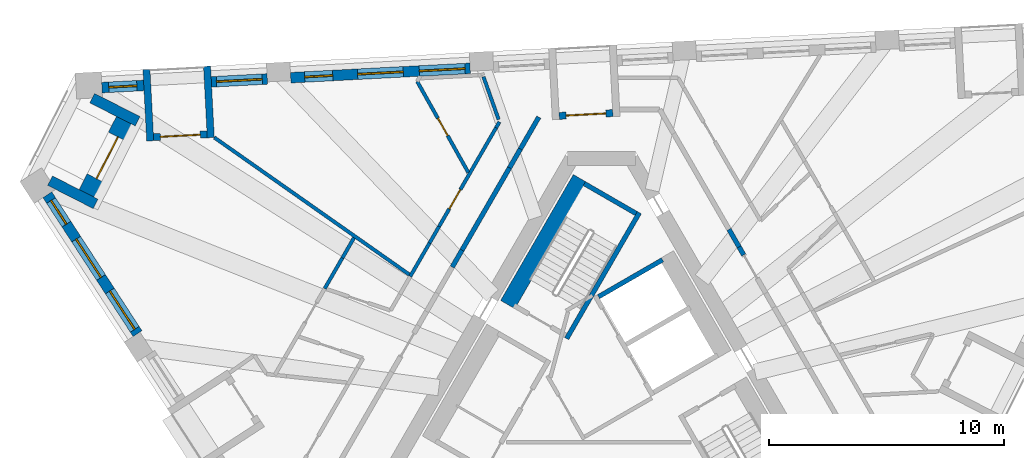
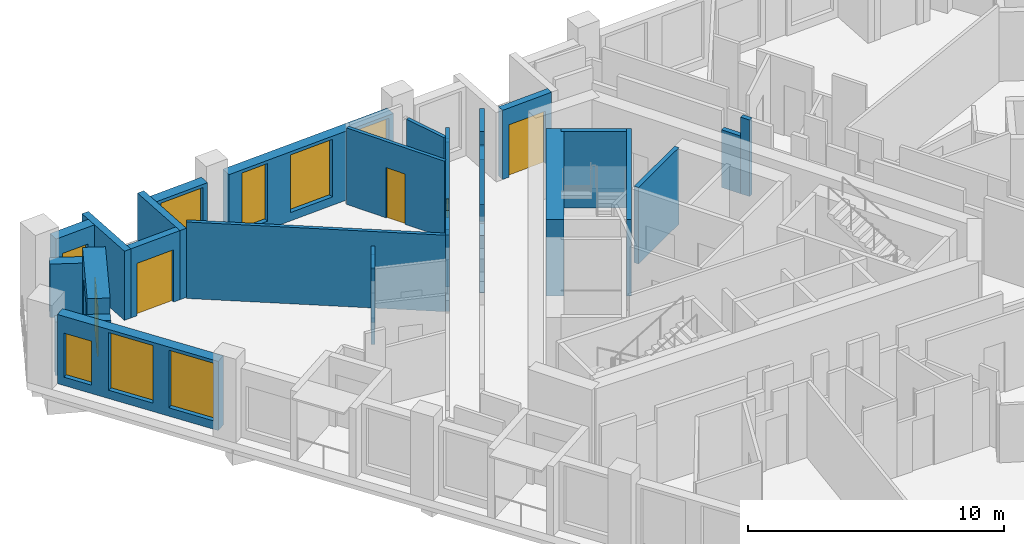
# One storey, part 7 of 13: 30 walls, 8 windows, 5 doors, 13 openings.
"""IFC4 building model written with IfcOpenShell, lengths in metres."""

from ifc_helpers import new_model, si_unit, direction, frame, frame_2d, origin, place, context, subcontext, project, spatial, rectangle, extrude, material, layer, layer_set, type_object, element, fill, save


model = new_model("IFC4")

# Units and contexts
model_context = context("Model", 3, precision=1e-05, world=origin(), true_north=direction((0.0, 1.0)))
body_context = subcontext(model_context, "Body", "Model", "MODEL_VIEW")
ifc_project = project(units=[si_unit("LENGTHUNIT", "METRE"), si_unit("AREAUNIT", "SQUARE_METRE"), si_unit("VOLUMEUNIT", "CUBIC_METRE"), si_unit("PLANEANGLEUNIT", "RADIAN"), si_unit("MASSUNIT", "GRAM", prefix="KILO")], contexts=[model_context])

# Site, building, storey
site_placement = place(None, origin())
site = spatial("IfcSite", under=ifc_project, at=site_placement, CompositionType="ELEMENT")
building_placement = place(site_placement, origin())
building = spatial("IfcBuilding", under=site, at=building_placement, Name="Tramontana Tower", CompositionType="ELEMENT")
storey_placement = place(building_placement, frame((0.0, 0.0, 286.39990234375)))
storey = spatial("IfcBuildingStorey", under=building, at=storey_placement, Name="L67", CompositionType="ELEMENT", Elevation=286.39990234375)

# Walls
ifc_material_1 = material(Name="Blockwork", Category="masonry")
ifc_layer_1 = layer(ifc_material_1, 0.199951171875)
ifc_layer_set_1 = layer_set([ifc_layer_1], Name="ENTRY WALL 200")
wall_type_1 = type_object("IfcWallType", Name="ENTRY WALL 200", PredefinedType="SOLIDWALL", material=ifc_layer_set_1)
wall_1_placement = place(storey_placement, frame((-6.36328125, 6.07861328125, 0.0), z_axis=(0.0, 0.0, 1.0), x_axis=(0.499950631041, 0.86605390509, 0.0)))
element("IfcWall", 1, at=wall_1_placement, inside=storey, type_object=wall_type_1, Name="Wall v71-ew3-8", PredefinedType="SOLIDWALL", context=body_context, shape_type="SweptSolid", body=[
    extrude(rectangle(XDim=0.83349609375, YDim=0.199951171875, at=frame_2d((0.416748046875, 0.0))), origin(), (0.0, 0.0, 1.0), 2.75),
])
wall_2_placement = place(storey_placement, frame((-5.946533203125, 6.800537109375, 0.0), z_axis=(0.0, 0.0, 1.0), x_axis=(0.500007556608, 0.866021040931, 0.0)))
element("IfcWall", 2, at=wall_2_placement, inside=storey, type_object=wall_type_1, Name="Wall v71-ew3-9", PredefinedType="SOLIDWALL", context=body_context, shape_type="SweptSolid", body=[
    extrude(rectangle(XDim=4.05224609375, YDim=0.199951171875, at=frame_2d((2.026123046875, 0.0))), origin(), (0.0, 0.0, 1.0), 3.650146484375),
])
wall_3_placement = place(storey_placement, frame((-3.92041015625, 10.309814453125, 0.0), z_axis=(0.0, 0.0, 1.0), x_axis=(0.500102178127, 0.865966403178, 0.0)))
element("IfcWall", 3, at=wall_3_placement, inside=storey, type_object=wall_type_1, Name="Wall v71-ew3-10", PredefinedType="SOLIDWALL", context=body_context, shape_type="SweptSolid", body=[
    extrude(rectangle(XDim=0.927490234375, YDim=0.199951171875, at=frame_2d((0.4638671875, 0.0))), origin(), (0.0, 0.0, 1.0), 2.9501953125),
])
wall_4_placement = place(storey_placement, frame((-3.45654296875, 11.113037109375, 0.0), z_axis=(0.0, 0.0, 1.0), x_axis=(0.500036592568, 0.866004276025, 0.0)))
element("IfcWall", 4, at=wall_4_placement, inside=storey, type_object=wall_type_1, Name="Wall v71-ew3-11", PredefinedType="SOLIDWALL", context=body_context, shape_type="SweptSolid", body=[
    extrude(rectangle(XDim=1.56982421875, YDim=0.199951171875, at=frame_2d((0.784912109375, 0.0))), origin(), (0.0, 0.0, 1.0), 3.650146484375),
])
wall_5_placement = place(storey_placement, frame((5.435546875, 7.685546875, 0.0), z_axis=(0.0, 0.0, 1.0), x_axis=(0.500056482814, -0.86599279096, 0.0)))
element("IfcWall", 5, at=wall_5_placement, inside=storey, type_object=wall_type_1, Name="Wall v71-ew5-2", PredefinedType="SOLIDWALL", context=body_context, shape_type="SweptSolid", body=[
    extrude(rectangle(XDim=0.86474609375, YDim=0.199951171875, at=frame_2d((0.432373046875, 0.0))), origin(), (0.0, 0.0, 1.0), 2.75),
])
wall_6_placement = place(storey_placement, frame((5.867919921875, 6.936767578125, 0.0), z_axis=(0.0, 0.0, 1.0), x_axis=(0.499526442893, -0.866298639529, 0.0)))
element("IfcWall", 6, at=wall_6_placement, inside=storey, type_object=wall_type_1, Name="Wall v71-ew5-3", PredefinedType="SOLIDWALL", context=body_context, shape_type="SweptSolid", body=[
    extrude(rectangle(XDim=0.3955078125, YDim=0.199951171875, at=frame_2d((0.19775390625, 0.0))), origin(), (0.0, 0.0, 1.0), 3.650146484375),
])

# Wall, openings, windows
ifc_material_2 = material(Name="Precast concrete 60 MPa", Category="concrete")
ifc_layer_2 = layer(ifc_material_2, 0.449951171875)
ifc_layer_set_2 = layer_set([ifc_layer_2], Name="Precast concrete 60 MPa, 450 mm")
wall_type_2 = type_object("IfcWallType", Name="EW1 Stone-faced precast wall 450", PredefinedType="SOLIDWALL", material=ifc_layer_set_2)
wall_7_placement = place(storey_placement, frame((-23.6259765625, 9.160888671875, 0.0), z_axis=(0.0, 0.0, 1.0), x_axis=(0.54463703186, -0.838671868806, 0.0)))
wall_7 = element("IfcWall", 7, at=wall_7_placement, inside=storey, type_object=wall_type_2, Name="External wall L67 face 0 bay 1", PredefinedType="SOLIDWALL", context=body_context, shape_type="SweptSolid", body=[
    extrude(rectangle(XDim=7.06005859375, YDim=0.449951171875, at=frame_2d((3.530029296875, 0.0))), origin(), (0.0, 0.0, 1.0), 3.300048828125),
])
opening_1_placement = place(wall_7_placement, frame((0.29345703125, 0.0, 0.39990234375)))
opening_1 = element("IfcOpeningElement", 8, at=opening_1_placement, cuts=wall_7, Name="Opening N3L", PredefinedType="OPENING", context=body_context, shape_type="SweptSolid", body=[
    extrude(rectangle(XDim=1.199951171875, YDim=2.10009765625, at=frame_2d((0.60009765625, 1.050048828125))), frame((0.0, 0.23486328125, 0.0), z_axis=(0.0, -1.0, 0.0), x_axis=(1.0, 0.0, 0.0)), (0.0, 0.0, 1.0), 0.469970703125),
])
opening_2_placement = place(wall_7_placement, frame((2.255126953125, 0.0, 0.39990234375)))
opening_2 = element("IfcOpeningElement", 9, at=opening_2_placement, cuts=wall_7, Name="Opening M3", PredefinedType="OPENING", context=body_context, shape_type="SweptSolid", body=[
    extrude(rectangle(XDim=1.949951171875, YDim=2.75, at=frame_2d((0.97509765625, 1.375))), frame((0.0, 0.23486328125, 0.0), z_axis=(0.0, -1.0, 0.0), x_axis=(1.0, 0.0, 0.0)), (0.0, 0.0, 1.0), 0.469970703125),
])
opening_3_placement = place(wall_7_placement, frame((4.891845703125, 0.0, 0.39990234375)))
opening_3 = element("IfcOpeningElement", 10, at=opening_3_placement, cuts=wall_7, Name="Opening M3", PredefinedType="OPENING", context=body_context, shape_type="SweptSolid", body=[
    extrude(rectangle(XDim=1.949951171875, YDim=2.75, at=frame_2d((0.97509765625, 1.375))), frame((0.0, 0.23486328125, 0.0), z_axis=(0.0, -1.0, 0.0), x_axis=(1.0, 0.0, 0.0)), (0.0, 0.0, 1.0), 0.469970703125),
])
ifc_material_3 = material(Name="Aluminum frame, double glazing unit", Category="aluminium")
window_type_1 = type_object("IfcWindowType", Name="M3 Window 1.95 x 2.75", PartitioningType="SINGLE_PANEL", PredefinedType="WINDOW", material=ifc_material_3)
window_1_placement = place(opening_2_placement, origin())
window_1 = element("IfcWindow", 11, at=window_1_placement, inside=storey, type_object=window_type_1, Name="Window M3 L67 face 0 module 2", OverallHeight=2.75, OverallWidth=1.949951171875, PartitioningType="SINGLE_PANEL", PredefinedType="WINDOW", context=body_context, shape_type="SweptSolid", body=[
    extrude(rectangle(XDim=1.949951171875, YDim=2.75, at=frame_2d((0.97509765625, 1.375))), frame((0.0, 0.030029296875, 0.0), z_axis=(0.0, -1.0, 0.0), x_axis=(1.0, 0.0, 0.0)), (0.0, 0.0, 1.0), 0.06005859375),
])
fill(opening_2, window_1)
window_2_placement = place(opening_3_placement, origin())
window_2 = element("IfcWindow", 12, at=window_2_placement, inside=storey, type_object=window_type_1, Name="Window M3 L67 face 0 module 3", OverallHeight=2.75, OverallWidth=1.949951171875, PartitioningType="SINGLE_PANEL", PredefinedType="WINDOW", context=body_context, shape_type="SweptSolid", body=[
    extrude(rectangle(XDim=1.949951171875, YDim=2.75, at=frame_2d((0.97509765625, 1.375))), frame((0.0, 0.030029296875, 0.0), z_axis=(0.0, -1.0, 0.0), x_axis=(1.0, 0.0, 0.0)), (0.0, 0.0, 1.0), 0.06005859375),
])
fill(opening_3, window_2)
ifc_material_4 = material(Name="Aluminum frame, double glazing unit", Category="aluminium")
window_type_2 = type_object("IfcWindowType", Name="N3L Window 1.2 x 2.1", PartitioningType="SINGLE_PANEL", PredefinedType="WINDOW", material=ifc_material_4)
window_3_placement = place(opening_1_placement, origin())
window_3 = element("IfcWindow", 13, at=window_3_placement, inside=storey, type_object=window_type_2, Name="Window N3L L67 face 0 module 1", OverallHeight=2.10009765625, OverallWidth=1.199951171875, PartitioningType="SINGLE_PANEL", PredefinedType="WINDOW", context=body_context, shape_type="SweptSolid", body=[
    extrude(rectangle(XDim=1.199951171875, YDim=2.10009765625, at=frame_2d((0.60009765625, 1.050048828125))), frame((0.0, 0.030029296875, 0.0), z_axis=(0.0, -1.0, 0.0), x_axis=(1.0, 0.0, 0.0)), (0.0, 0.0, 1.0), 0.06005859375),
])
fill(opening_1, window_3)

wall_8_placement = place(storey_placement, frame((-5.599365234375, 14.552001953125, 0.0), z_axis=(0.0, 0.0, 1.0), x_axis=(-0.998628023429, -0.052364786088, 0.0)))
wall_8 = element("IfcWall", 14, at=wall_8_placement, inside=storey, type_object=wall_type_2, Name="External wall L67 face 2 bay 4", PredefinedType="SOLIDWALL", context=body_context, shape_type="SweptSolid", body=[
    extrude(rectangle(XDim=7.66015625, YDim=0.449951171875, at=frame_2d((3.830078125, 0.0))), origin(), (0.0, 0.0, 1.0), 3.300048828125),
])
opening_4_placement = place(wall_8_placement, frame((0.21826171875, 0.0, 0.39990234375)))
opening_4 = element("IfcOpeningElement", 15, at=opening_4_placement, cuts=wall_8, Name="Opening M3", PredefinedType="OPENING", context=body_context, shape_type="SweptSolid", body=[
    extrude(rectangle(XDim=1.949951171875, YDim=2.75, at=frame_2d((0.97509765625, 1.375))), frame((0.0, 0.23486328125, 0.0), z_axis=(0.0, -1.0, 0.0), x_axis=(1.0, 0.0, 0.0)), (0.0, 0.0, 1.0), 0.469970703125),
])
opening_5_placement = place(wall_8_placement, frame((2.855224609375, 0.0, 0.39990234375)))
opening_5 = element("IfcOpeningElement", 16, at=opening_5_placement, cuts=wall_8, Name="Opening M3", PredefinedType="OPENING", context=body_context, shape_type="SweptSolid", body=[
    extrude(rectangle(XDim=1.949951171875, YDim=2.75, at=frame_2d((0.97509765625, 1.375))), frame((0.0, 0.23486328125, 0.0), z_axis=(0.0, -1.0, 0.0), x_axis=(1.0, 0.0, 0.0)), (0.0, 0.0, 1.0), 0.469970703125),
])
opening_6_placement = place(wall_8_placement, frame((5.866943359375, 0.0, 0.39990234375)))
opening_6 = element("IfcOpeningElement", 17, at=opening_6_placement, cuts=wall_8, Name="Opening N3", PredefinedType="OPENING", context=body_context, shape_type="SweptSolid", body=[
    extrude(rectangle(XDim=1.199951171875, YDim=2.75, at=frame_2d((0.60009765625, 1.375))), frame((0.0, 0.23486328125, 0.0), z_axis=(0.0, -1.0, 0.0), x_axis=(1.0, 0.0, 0.0)), (0.0, 0.0, 1.0), 0.469970703125),
])
window_4_placement = place(opening_4_placement, origin())
window_4 = element("IfcWindow", 18, at=window_4_placement, inside=storey, type_object=window_type_1, Name="Window M3 L67 face 2 module 10", OverallHeight=2.75, OverallWidth=1.949951171875, PartitioningType="SINGLE_PANEL", PredefinedType="WINDOW", context=body_context, shape_type="SweptSolid", body=[
    extrude(rectangle(XDim=1.949951171875, YDim=2.75, at=frame_2d((0.97509765625, 1.375))), frame((0.0, 0.030029296875, 0.0), z_axis=(0.0, -1.0, 0.0), x_axis=(1.0, 0.0, 0.0)), (0.0, 0.0, 1.0), 0.06005859375),
])
fill(opening_4, window_4)
window_5_placement = place(opening_5_placement, origin())
window_5 = element("IfcWindow", 19, at=window_5_placement, inside=storey, type_object=window_type_1, Name="Window M3 L67 face 2 module 11", OverallHeight=2.75, OverallWidth=1.949951171875, PartitioningType="SINGLE_PANEL", PredefinedType="WINDOW", context=body_context, shape_type="SweptSolid", body=[
    extrude(rectangle(XDim=1.949951171875, YDim=2.75, at=frame_2d((0.97509765625, 1.375))), frame((0.0, 0.030029296875, 0.0), z_axis=(0.0, -1.0, 0.0), x_axis=(1.0, 0.0, 0.0)), (0.0, 0.0, 1.0), 0.06005859375),
])
fill(opening_5, window_5)
ifc_material_5 = material(Name="Aluminum frame, double glazing unit", Category="aluminium")
window_type_3 = type_object("IfcWindowType", Name="N3 Window 1.2 x 2.75", PartitioningType="SINGLE_PANEL", PredefinedType="WINDOW", material=ifc_material_5)
window_6_placement = place(opening_6_placement, origin())
window_6 = element("IfcWindow", 20, at=window_6_placement, inside=storey, type_object=window_type_3, Name="Window N3 L67 face 2 module 12", OverallHeight=2.75, OverallWidth=1.199951171875, PartitioningType="SINGLE_PANEL", PredefinedType="WINDOW", context=body_context, shape_type="SweptSolid", body=[
    extrude(rectangle(XDim=1.199951171875, YDim=2.75, at=frame_2d((0.60009765625, 1.375))), frame((0.0, 0.030029296875, 0.0), z_axis=(0.0, -1.0, 0.0), x_axis=(1.0, 0.0, 0.0)), (0.0, 0.0, 1.0), 0.06005859375),
])
fill(opening_6, window_6)

# Wall, opening, window
wall_9_placement = place(storey_placement, frame((-14.247802734375, 14.0986328125, 0.0), z_axis=(0.0, 0.0, 1.0), x_axis=(-0.998627701279, -0.052370929331, 0.0)))
wall_9 = element("IfcWall", 21, at=wall_9_placement, inside=storey, type_object=wall_type_2, Name="External wall L67 face 2 bay 5", PredefinedType="SOLIDWALL", context=body_context, shape_type="SweptSolid", body=[
    extrude(rectangle(XDim=2.38671875, YDim=0.449951171875, at=frame_2d((1.193359375, 0.0))), origin(), (0.0, 0.0, 1.0), 3.300048828125),
])
opening_7_placement = place(wall_9_placement, frame((0.21826171875, 0.0, 0.39990234375)))
opening_7 = element("IfcOpeningElement", 22, at=opening_7_placement, cuts=wall_9, Name="Opening M3", PredefinedType="OPENING", context=body_context, shape_type="SweptSolid", body=[
    extrude(rectangle(XDim=1.949951171875, YDim=2.75, at=frame_2d((0.97509765625, 1.375))), frame((0.0, 0.23486328125, 0.0), z_axis=(0.0, -1.0, 0.0), x_axis=(1.0, 0.0, 0.0)), (0.0, 0.0, 1.0), 0.469970703125),
])
window_7_placement = place(opening_7_placement, origin())
window_7 = element("IfcWindow", 23, at=window_7_placement, inside=storey, type_object=window_type_1, Name="Window M3 L67 face 2 module 13", OverallHeight=2.75, OverallWidth=1.949951171875, PartitioningType="SINGLE_PANEL", PredefinedType="WINDOW", context=body_context, shape_type="SweptSolid", body=[
    extrude(rectangle(XDim=1.949951171875, YDim=2.75, at=frame_2d((0.97509765625, 1.375))), frame((0.0, 0.030029296875, 0.0), z_axis=(0.0, -1.0, 0.0), x_axis=(1.0, 0.0, 0.0)), (0.0, 0.0, 1.0), 0.06005859375),
])
fill(opening_7, window_7)

wall_10_placement = place(storey_placement, frame((-19.51416015625, 13.82275390625, 0.0), z_axis=(0.0, 0.0, 1.0), x_axis=(-0.998629506551, -0.052336494391, 0.0)))
wall_10 = element("IfcWall", 24, at=wall_10_placement, inside=storey, type_object=wall_type_2, Name="External wall L67 face 2 bay 5", PredefinedType="SOLIDWALL", context=body_context, shape_type="SweptSolid", body=[
    extrude(rectangle(XDim=1.78662109375, YDim=0.449951171875, at=frame_2d((0.893310546875, 0.0))), origin(), (0.0, 0.0, 1.0), 3.300048828125),
])
opening_8_placement = place(wall_10_placement, frame((0.29345703125, 0.0, 0.39990234375)))
opening_8 = element("IfcOpeningElement", 25, at=opening_8_placement, cuts=wall_10, Name="Opening N3L", PredefinedType="OPENING", context=body_context, shape_type="SweptSolid", body=[
    extrude(rectangle(XDim=1.199951171875, YDim=2.10009765625, at=frame_2d((0.60009765625, 1.050048828125))), frame((0.0, 0.23486328125, 0.0), z_axis=(0.0, -1.0, 0.0), x_axis=(1.0, 0.0, 0.0)), (0.0, 0.0, 1.0), 0.469970703125),
])
window_8_placement = place(opening_8_placement, origin())
window_8 = element("IfcWindow", 26, at=window_8_placement, inside=storey, type_object=window_type_2, Name="Window N3L L67 face 2 module 15", OverallHeight=2.10009765625, OverallWidth=1.199951171875, PartitioningType="SINGLE_PANEL", PredefinedType="WINDOW", context=body_context, shape_type="SweptSolid", body=[
    extrude(rectangle(XDim=1.199951171875, YDim=2.10009765625, at=frame_2d((0.60009765625, 1.050048828125))), frame((0.0, 0.030029296875, 0.0), z_axis=(0.0, -1.0, 0.0), x_axis=(1.0, 0.0, 0.0)), (0.0, 0.0, 1.0), 0.06005859375),
])
fill(opening_8, window_8)

# Walls
wall_11_placement = place(storey_placement, frame((-23.509765625, 9.76220703125, 0.0), z_axis=(0.0, 0.0, 1.0), x_axis=(0.891041206664, -0.45392242512, 0.0)))
element("IfcWall", 27, at=wall_11_placement, inside=storey, type_object=wall_type_2, Name="Corner loggia side wall L67 K70l", PredefinedType="SOLIDWALL", context=body_context, shape_type="SweptSolid", body=[
    extrude(rectangle(XDim=2.179443359375, YDim=0.449951171875, at=frame_2d((1.08984375, 0.0))), origin(), (0.0, 0.0, 1.0), 2.550048828125),
])
wall_12_placement = place(storey_placement, frame((-21.71630859375, 13.28173828125, 0.0), z_axis=(0.0, 0.0, 1.0), x_axis=(0.890972801346, -0.454056678468, 0.0)))
element("IfcWall", 28, at=wall_12_placement, inside=storey, type_object=wall_type_2, Name="Corner loggia side wall L67 K70r", PredefinedType="SOLIDWALL", context=body_context, shape_type="SweptSolid", body=[
    extrude(rectangle(XDim=2.17919921875, YDim=0.449951171875, at=frame_2d((1.089599609375, 0.0))), origin(), (0.0, 0.0, 1.0), 2.550048828125),
])

# Wall, opening, door
ifc_material_6 = material(Name="Precast concrete 60 MPa", Category="concrete")
ifc_layer_3 = layer(ifc_material_6, 0.89990234375)
ifc_layer_set_3 = layer_set([ifc_layer_3], Name="EW2 Stone-faced corner loggia wall 900")
wall_type_3 = type_object("IfcWallType", Name="EW2 Stone-faced corner loggia wall 900", PredefinedType="SOLIDWALL", material=ifc_layer_set_3)
wall_13_placement = place(storey_placement, frame((-21.86669921875, 9.177734375, 0.0), z_axis=(0.0, 0.0, 1.0), x_axis=(0.453981164527, 0.891011280655, 0.0)))
wall_13 = element("IfcWall", 29, at=wall_13_placement, inside=storey, type_object=wall_type_3, Name="Corner loggia wall L67 K70", PredefinedType="SOLIDWALL", context=body_context, shape_type="SweptSolid", body=[
    extrude(rectangle(XDim=3.499755859375, YDim=0.89990234375, at=frame_2d((1.75, 0.0))), origin(), (0.0, 0.0, 1.0), 3.300048828125),
])
opening_9_placement = place(wall_13_placement, frame((0.75, 0.0, 0.0)))
opening_9 = element("IfcOpeningElement", 30, at=opening_9_placement, cuts=wall_13, Name="Opening BD-70C", PredefinedType="OPENING", context=body_context, shape_type="SweptSolid", body=[
    extrude(rectangle(XDim=2.0, YDim=2.39990234375, at=frame_2d((1.0, 1.199951171875))), frame((0.0, 0.4599609375, 0.0), z_axis=(0.0, -1.0, 0.0), x_axis=(1.0, 0.0, 0.0)), (0.0, 0.0, 1.0), 0.919921875),
])
ifc_material_7 = material(Name="Aluminum frame, double glazing unit", Category="aluminium")
door_type_1 = type_object("IfcDoorType", Name="BC1 Sliding door 2 x 2.4", OperationType="SLIDING_TO_LEFT", PredefinedType="DOOR", material=ifc_material_7)
door_1_placement = place(opening_9_placement, origin())
door_1 = element("IfcDoor", 31, at=door_1_placement, inside=storey, type_object=door_type_1, Name="Corner loggia door L67 K70", OperationType="SLIDING_TO_LEFT", OverallHeight=2.39990234375, OverallWidth=2.0, PredefinedType="DOOR", context=body_context, shape_type="SweptSolid", body=[
    extrude(rectangle(XDim=2.0, YDim=2.39990234375, at=frame_2d((1.0, 1.199951171875))), frame((0.0, 0.02490234375, 0.0), z_axis=(0.0, -1.0, 0.0), x_axis=(1.0, 0.0, 0.0)), (0.0, 0.0, 1.0), 0.050048828125),
])
fill(opening_9, door_1)

ifc_material_8 = material(Name="Precast concrete 60 MPa", Category="concrete")
ifc_layer_4 = layer(ifc_material_8, 0.300048828125)
ifc_layer_set_4 = layer_set([ifc_layer_4], Name="LW1 Stone-faced loggia wall 300")
wall_type_4 = type_object("IfcWallType", Name="LW1 Stone-faced loggia wall 300", PredefinedType="SOLIDWALL", material=ifc_layer_set_4)
wall_14_placement = place(storey_placement, frame((0.482421875, 12.642578125, 0.0), z_axis=(0.0, 0.0, 1.0), x_axis=(-0.998630775221, -0.052312281362, 0.0)))
wall_14 = element("IfcWall", 32, at=wall_14_placement, inside=storey, type_object=wall_type_4, Name="Loggia wall L67 G7S2.7", PredefinedType="SOLIDWALL", context=body_context, shape_type="SweptSolid", body=[
    extrude(rectangle(XDim=2.286865234375, YDim=0.300048828125, at=frame_2d((1.1435546875, 0.0))), origin(), (0.0, 0.0, 1.0), 3.300048828125),
])
opening_10_placement = place(wall_14_placement, frame((0.29345703125, 0.0, 0.0)))
opening_10 = element("IfcOpeningElement", 33, at=opening_10_placement, cuts=wall_14, Name="Opening BD-7S2-07", PredefinedType="OPENING", context=body_context, shape_type="SweptSolid", body=[
    extrude(rectangle(XDim=1.699951171875, YDim=2.5, at=frame_2d((0.85009765625, 1.25))), frame((0.0, 0.159912109375, 0.0), z_axis=(0.0, -1.0, 0.0), x_axis=(1.0, 0.0, 0.0)), (0.0, 0.0, 1.0), 0.320068359375),
])
ifc_material_9 = material(Name="Aluminum frame, double glazing unit", Category="aluminium")
door_type_2 = type_object("IfcDoorType", Name="BD3 Sliding door 1.7 x 2.5", OperationType="SLIDING_TO_LEFT", PredefinedType="DOOR", material=ifc_material_9)
door_2_placement = place(opening_10_placement, origin())
door_2 = element("IfcDoor", 34, at=door_2_placement, inside=storey, type_object=door_type_2, Name="Loggia door L67 G7S2.7", OperationType="SLIDING_TO_LEFT", OverallHeight=2.5, OverallWidth=1.699951171875, PredefinedType="DOOR", context=body_context, shape_type="SweptSolid", body=[
    extrude(rectangle(XDim=1.699951171875, YDim=2.5, at=frame_2d((0.85009765625, 1.25))), frame((0.0, 0.02490234375, 0.0), z_axis=(0.0, -1.0, 0.0), x_axis=(1.0, 0.0, 0.0)), (0.0, 0.0, 1.0), 0.050048828125),
])
fill(opening_10, door_2)

wall_15_placement = place(storey_placement, frame((-16.814453125, 11.736083984375, 0.0), z_axis=(0.0, 0.0, 1.0), x_axis=(-0.998630483018, -0.052317859155, 0.0)))
wall_15 = element("IfcWall", 35, at=wall_15_placement, inside=storey, type_object=wall_type_4, Name="Loggia wall L67 G7S2.13", PredefinedType="SOLIDWALL", context=body_context, shape_type="SweptSolid", body=[
    extrude(rectangle(XDim=2.28662109375, YDim=0.300048828125, at=frame_2d((1.143310546875, 0.0))), origin(), (0.0, 0.0, 1.0), 3.300048828125),
])
opening_11_placement = place(wall_15_placement, frame((0.29345703125, 0.0, 0.0)))
opening_11 = element("IfcOpeningElement", 36, at=opening_11_placement, cuts=wall_15, Name="Opening BD-7S2-13", PredefinedType="OPENING", context=body_context, shape_type="SweptSolid", body=[
    extrude(rectangle(XDim=1.699951171875, YDim=2.5, at=frame_2d((0.85009765625, 1.25))), frame((0.0, 0.159912109375, 0.0), z_axis=(0.0, -1.0, 0.0), x_axis=(1.0, 0.0, 0.0)), (0.0, 0.0, 1.0), 0.320068359375),
])
door_3_placement = place(opening_11_placement, origin())
door_3 = element("IfcDoor", 37, at=door_3_placement, inside=storey, type_object=door_type_2, Name="Loggia door L67 G7S2.13", OperationType="SLIDING_TO_LEFT", OverallHeight=2.5, OverallWidth=1.699951171875, PredefinedType="DOOR", context=body_context, shape_type="SweptSolid", body=[
    extrude(rectangle(XDim=1.699951171875, YDim=2.5, at=frame_2d((0.85009765625, 1.25))), frame((0.0, 0.02490234375, 0.0), z_axis=(0.0, -1.0, 0.0), x_axis=(1.0, 0.0, 0.0)), (0.0, 0.0, 1.0), 0.050048828125),
])
fill(opening_11, door_3)

# Walls
wall_16_placement = place(storey_placement, frame((-16.81640625, 14.639892578125, 0.0), z_axis=(0.0, 0.0, 1.0), x_axis=(0.052352956549, -0.998628643661, 0.0)))
element("IfcWall", 38, at=wall_16_placement, inside=storey, type_object=wall_type_4, Name="Loggia return L67 G7S2.13a", PredefinedType="SOLIDWALL", context=body_context, shape_type="SweptSolid", body=[
    extrude(rectangle(XDim=3.0498046875, YDim=0.300048828125, at=frame_2d((1.52490234375, 0.0))), origin(), (0.0, 0.0, 1.0), 3.300048828125),
])
wall_17_placement = place(storey_placement, frame((-19.399658203125, 14.504638671875, 0.0), z_axis=(0.0, 0.0, 1.0), x_axis=(0.052348771756, -0.99862886304, 0.0)))
element("IfcWall", 39, at=wall_17_placement, inside=storey, type_object=wall_type_4, Name="Loggia return L67 G7S2.13b", PredefinedType="SOLIDWALL", context=body_context, shape_type="SweptSolid", body=[
    extrude(rectangle(XDim=3.050048828125, YDim=0.300048828125, at=frame_2d((1.52490234375, 0.0))), origin(), (0.0, 0.0, 1.0), 3.300048828125),
])
ifc_material_10 = material(Name="Gypsum board partition")
ifc_layer_5 = layer(ifc_material_10, 0.14990234375)
ifc_layer_set_5 = layer_set([ifc_layer_5], Name="PARTITION 150")
wall_type_5 = type_object("IfcWallType", Name="PARTITION 150", PredefinedType="PARTITIONING", material=ifc_layer_set_5)
wall_18_placement = place(storey_placement, frame((-16.5068359375, 11.60205078125, 0.0), z_axis=(0.0, 0.0, 1.0), x_axis=(0.818128766515, -0.575035061018, 0.0)))
element("IfcWall", 40, at=wall_18_placement, inside=storey, type_object=wall_type_5, Name="Wall v71-pw00", PredefinedType="PARTITIONING", context=body_context, shape_type="SweptSolid", body=[
    extrude(rectangle(XDim=10.16162109375, YDim=0.14990234375, at=frame_2d((5.080810546875, 0.0))), origin(), (0.0, 0.0, 1.0), 3.650146484375),
])
wall_19_placement = place(storey_placement, frame((-11.7998046875, 5.162109375, 0.0), z_axis=(0.0, 0.0, 1.0), x_axis=(0.500035089595, 0.866005143849, 0.0)))
element("IfcWall", 41, at=wall_19_placement, inside=storey, type_object=wall_type_5, Name="Wall v71-pw04-3", PredefinedType="PARTITIONING", context=body_context, shape_type="SweptSolid", body=[
    extrude(rectangle(XDim=1.509765625, YDim=0.14990234375, at=frame_2d((0.7548828125, 0.0))), origin(), (0.0, 0.0, 1.0), 3.650146484375),
])
wall_20_placement = place(storey_placement, frame((-11.044921875, 6.469482421875, 0.0), z_axis=(0.0, 0.0, 1.0), x_axis=(0.499836639736, 0.866119699335, 0.0)))
element("IfcWall", 42, at=wall_20_placement, inside=storey, type_object=wall_type_5, Name="Wall v71-pw04-4", PredefinedType="PARTITIONING", context=body_context, shape_type="SweptSolid", body=[
    extrude(rectangle(XDim=0.987060546875, YDim=0.14990234375, at=frame_2d((0.49365234375, 0.0))), origin(), (0.0, 0.0, 1.0), 2.550048828125),
])
wall_21_placement = place(storey_placement, frame((-8.154296875, 5.67626953125, 0.0), z_axis=(0.0, 0.0, 1.0), x_axis=(0.499922922324, 0.866069900028, 0.0)))
element("IfcWall", 43, at=wall_21_placement, inside=storey, type_object=wall_type_5, Name="Wall v71-pw10-2", PredefinedType="PARTITIONING", context=body_context, shape_type="SweptSolid", body=[
    extrude(rectangle(XDim=1.651611328125, YDim=0.14990234375, at=frame_2d((0.82568359375, 0.0))), origin(), (0.0, 0.0, 1.0), 3.650146484375),
])
wall_22_placement = place(storey_placement, frame((-7.32861328125, 7.106689453125, 0.0), z_axis=(0.0, 0.0, 1.0), x_axis=(0.500106313205, 0.865964015126, 0.0)))
element("IfcWall", 44, at=wall_22_placement, inside=storey, type_object=wall_type_5, Name="Wall v71-pw10-3", PredefinedType="PARTITIONING", context=body_context, shape_type="SweptSolid", body=[
    extrude(rectangle(XDim=0.807373046875, YDim=0.14990234375, at=frame_2d((0.40380859375, 0.0))), origin(), (0.0, 0.0, 1.0), 2.75),
])

# Wall, opening, door
wall_23_placement = place(storey_placement, frame((-6.9248046875, 7.805908203125, 0.0), z_axis=(0.0, 0.0, 1.0), x_axis=(0.500012305324, 0.866018299186, 0.0)))
wall_23 = element("IfcWall", 45, at=wall_23_placement, inside=storey, type_object=wall_type_5, Name="Wall v71-pw10-4", PredefinedType="PARTITIONING", context=body_context, shape_type="SweptSolid", body=[
    extrude(rectangle(XDim=4.86083984375, YDim=0.14990234375, at=frame_2d((2.430419921875, 0.0))), origin(), (0.0, 0.0, 1.0), 3.650146484375),
])
opening_12_placement = place(wall_23_placement, frame((0.872314453125, 0.0, 0.0)))
opening_12 = element("IfcOpeningElement", 46, at=opening_12_placement, cuts=wall_23, Name="Opening B7B-04", PredefinedType="OPENING", context=body_context, shape_type="SweptSolid", body=[
    extrude(rectangle(XDim=0.949951171875, YDim=2.39990234375, at=frame_2d((0.47509765625, 1.199951171875))), frame((0.0, 0.0849609375, 0.0), z_axis=(0.0, -1.0, 0.0), x_axis=(1.0, 0.0, 0.0)), (0.0, 0.0, 1.0), 0.169921875),
])
ifc_material_11 = material(Name="Painted timber", Category="wood")
door_type_3 = type_object("IfcDoorType", Name="DOOR ROOM 950", OperationType="SINGLE_SWING_LEFT", PredefinedType="DOOR", material=ifc_material_11)
door_4_placement = place(opening_12_placement, origin())
door_4 = element("IfcDoor", 47, at=door_4_placement, inside=storey, type_object=door_type_3, Name="Door B7B-04", OperationType="SINGLE_SWING_RIGHT", OverallHeight=2.39990234375, OverallWidth=0.949951171875, PredefinedType="DOOR", context=body_context, shape_type="SweptSolid", body=[
    extrude(rectangle(XDim=0.949951171875, YDim=2.39990234375, at=frame_2d((0.47509765625, 1.199951171875))), frame((0.0, 0.02490234375, 0.0), z_axis=(0.0, -1.0, 0.0), x_axis=(1.0, 0.0, 0.0)), (0.0, 0.0, 1.0), 0.050048828125),
])
fill(opening_12, door_4)

# Wall
wall_24_placement = place(storey_placement, frame((-4.494384765625, 12.015380859375, 0.0), z_axis=(0.0, 0.0, 1.0), x_axis=(0.500109828528, 0.865961984968, 0.0)))
element("IfcWall", 48, at=wall_24_placement, inside=storey, type_object=wall_type_5, Name="Wall v71-pw10-5", PredefinedType="PARTITIONING", context=body_context, shape_type="SweptSolid", body=[
    extrude(rectangle(XDim=0.291015625, YDim=0.14990234375, at=frame_2d((0.1455078125, 0.0))), origin(), (0.0, 0.0, 1.0), 2.9501953125),
])

# Wall, opening, door
wall_25_placement = place(storey_placement, frame((-7.8564453125, 13.9921875, 0.0), z_axis=(0.0, 0.0, 1.0), x_axis=(0.489580886803, -0.871957886183, 0.0)))
wall_25 = element("IfcWall", 49, at=wall_25_placement, inside=storey, type_object=wall_type_5, Name="Wall v71-pw14", PredefinedType="PARTITIONING", context=body_context, shape_type="SweptSolid", body=[
    extrude(rectangle(XDim=4.44775390625, YDim=0.14990234375, at=frame_2d((2.223876953125, 0.0))), origin(), (0.0, 0.0, 1.0), 3.650146484375),
])
opening_13_placement = place(wall_25_placement, frame((1.798828125, 0.0, 0.0)))
opening_13 = element("IfcOpeningElement", 50, at=opening_13_placement, cuts=wall_25, Name="Opening B7B-06", PredefinedType="OPENING", context=body_context, shape_type="SweptSolid", body=[
    extrude(rectangle(XDim=0.85009765625, YDim=2.39990234375, at=frame_2d((0.425048828125, 1.199951171875))), frame((0.0, 0.0849609375, 0.0), z_axis=(0.0, -1.0, 0.0), x_axis=(1.0, 0.0, 0.0)), (0.0, 0.0, 1.0), 0.169921875),
])
ifc_material_12 = material(Name="Painted timber", Category="wood")
door_type_4 = type_object("IfcDoorType", Name="DOOR BATH 850", OperationType="SINGLE_SWING_LEFT", PredefinedType="DOOR", material=ifc_material_12)
door_5_placement = place(opening_13_placement, origin())
door_5 = element("IfcDoor", 51, at=door_5_placement, inside=storey, type_object=door_type_4, Name="Door B7B-06", OperationType="SINGLE_SWING_RIGHT", OverallHeight=2.39990234375, OverallWidth=0.85009765625, PredefinedType="DOOR", context=body_context, shape_type="SweptSolid", body=[
    extrude(rectangle(XDim=0.85009765625, YDim=2.39990234375, at=frame_2d((0.425048828125, 1.199951171875))), frame((0.0, 0.02490234375, 0.0), z_axis=(0.0, -1.0, 0.0), x_axis=(1.0, 0.0, 0.0)), (0.0, 0.0, 1.0), 0.050048828125),
])
fill(opening_13, door_5)

# Walls
wall_26_placement = place(storey_placement, frame((-5.030517578125, 14.190185546875, 0.0), z_axis=(0.0, 0.0, 1.0), x_axis=(0.334134760433, -0.942525310997, 0.0)))
element("IfcWall", 52, at=wall_26_placement, inside=storey, type_object=wall_type_5, Name="Wall v71-pw17-0", PredefinedType="PARTITIONING", context=body_context, shape_type="SweptSolid", body=[
    extrude(rectangle(XDim=1.9326171875, YDim=0.14990234375, at=frame_2d((0.96630859375, 0.0))), origin(), (0.0, 0.0, 1.0), 2.9501953125),
])
ifc_material_13 = material(Name="Concrete 70 MPa", Category="concrete")
ifc_layer_6 = layer(ifc_material_13, 0.699951171875)
ifc_layer_set_6 = layer_set([ifc_layer_6], Name="Concrete 70 MPa, 700 mm")
wall_type_6 = type_object("IfcWallType", Name="RC SHAFT BACK WALL 700", PredefinedType="SOLIDWALL", material=ifc_layer_set_6)
wall_27_placement = place(storey_placement, frame((-0.896240234375, 9.847412109375, 0.0), z_axis=(0.0, 0.0, 1.0), x_axis=(-0.500009909098, -0.866019682689, 0.0)))
element("IfcWall", 53, at=wall_27_placement, inside=storey, type_object=wall_type_6, Name="Wall st1-back", PredefinedType="SOLIDWALL", context=body_context, shape_type="SweptSolid", body=[
    extrude(rectangle(XDim=6.199951171875, YDim=0.699951171875, at=frame_2d((3.10009765625, 0.0))), origin(), (0.0, 0.0, 1.0), 3.650146484375),
])
ifc_material_14 = material(Name="Concrete 70 MPa", Category="concrete")
ifc_layer_7 = layer(ifc_material_14, 0.199951171875)
ifc_layer_set_7 = layer_set([ifc_layer_7], Name="Concrete 70 MPa, 200 mm")
wall_type_7 = type_object("IfcWallType", Name="RC STAIR AND SHAFT WALL 200", PredefinedType="SOLIDWALL", material=ifc_layer_set_7)
wall_28_placement = place(storey_placement, frame((1.615234375, 8.3974609375, 0.0), z_axis=(0.0, 0.0, 1.0), x_axis=(-0.500009909098, -0.866019682689, 0.0)))
element("IfcWall", 54, at=wall_28_placement, inside=storey, type_object=wall_type_7, Name="Wall st1-front", PredefinedType="SOLIDWALL", context=body_context, shape_type="SweptSolid", body=[
    extrude(rectangle(XDim=6.199951171875, YDim=0.199951171875, at=frame_2d((3.10009765625, 0.0))), origin(), (0.0, 0.0, 1.0), 3.650146484375),
])
wall_29_placement = place(storey_placement, frame((1.478515625, 8.36083984375, 0.0), z_axis=(0.0, 0.0, 1.0), x_axis=(-0.865989465428, 0.500062241894, 0.0)))
element("IfcWall", 55, at=wall_29_placement, inside=storey, type_object=wall_type_7, Name="Wall st1-far", PredefinedType="SOLIDWALL", context=body_context, shape_type="SweptSolid", body=[
    extrude(rectangle(XDim=2.550048828125, YDim=0.199951171875, at=frame_2d((1.27490234375, 0.0))), origin(), (0.0, 0.0, 1.0), 3.650146484375),
])
wall_30_placement = place(storey_placement, frame((-0.123046875, 4.813232421875, 0.0), z_axis=(0.0, 0.0, 1.0), x_axis=(0.866016494683, 0.500015430699, 0.0)))
element("IfcWall", 56, at=wall_30_placement, inside=storey, type_object=wall_type_7, Name="Wall row2-side2", PredefinedType="SOLIDWALL", context=body_context, shape_type="SweptSolid", body=[
    extrude(rectangle(XDim=3.14990234375, YDim=0.199951171875, at=frame_2d((1.574951171875, 0.0))), origin(), (0.0, 0.0, 1.0), 3.650146484375),
])

save(model, "model.ifc")
